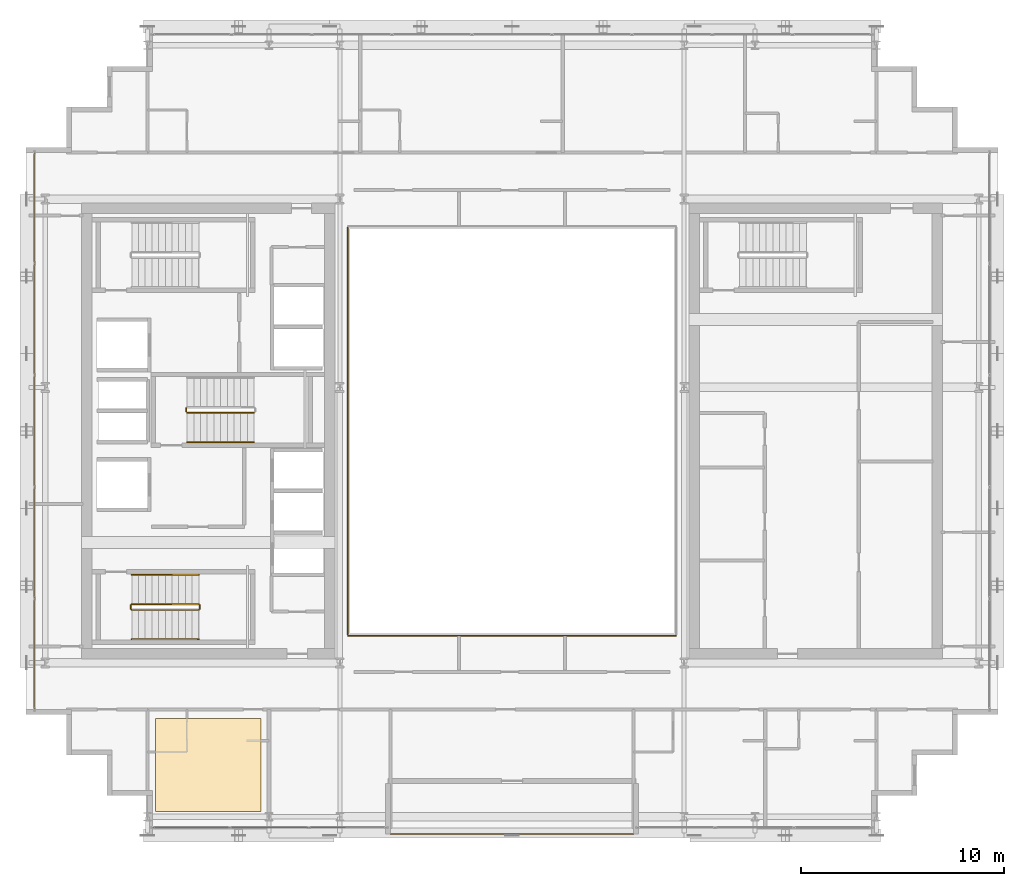
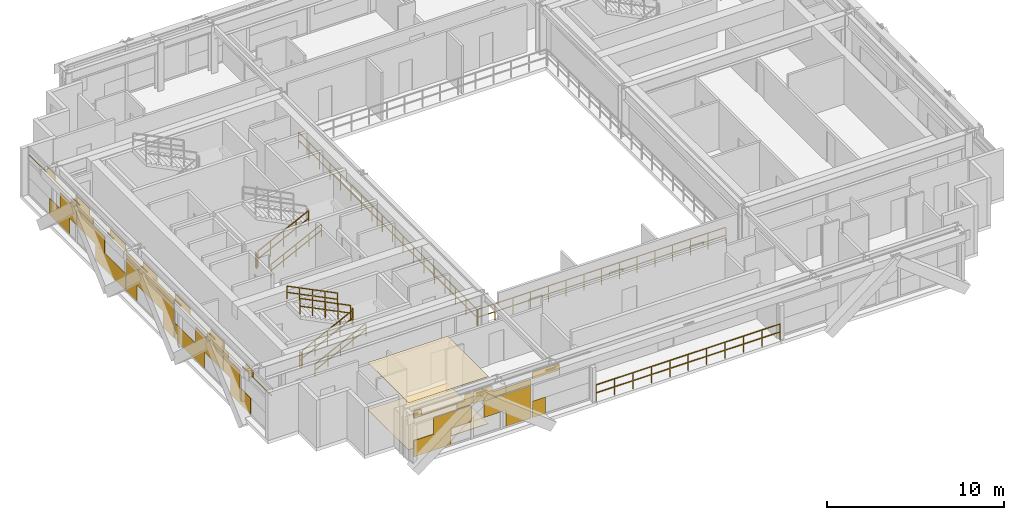
# One storey, part 29 of 32: 12 railings, 4 coverings.
"""IFC4 building model written with IfcOpenShell, lengths in metres."""

from ifc_helpers import new_model, si_unit, direction, frame, origin, origin_2d, place, context, subcontext, project, spatial, polyline, rectangle, outline, extrude, material, layer, layer_set, type_object, element, save


model = new_model("IFC4")

# Units and contexts
model_context = context("Model", 3, precision=1e-05, world=origin(), true_north=direction((0.0, 1.0)))
body_context = subcontext(model_context, "Body", "Model", "MODEL_VIEW")
ifc_project = project(units=[si_unit("LENGTHUNIT", "METRE"), si_unit("AREAUNIT", "SQUARE_METRE"), si_unit("VOLUMEUNIT", "CUBIC_METRE"), si_unit("PLANEANGLEUNIT", "RADIAN"), si_unit("MASSUNIT", "GRAM", prefix="KILO")], contexts=[model_context])

# Site, building, storey
site_placement = place(None, origin())
site = spatial("IfcSite", under=ifc_project, at=site_placement, CompositionType="ELEMENT")
building_placement = place(site_placement, origin())
building = spatial("IfcBuilding", under=site, at=building_placement, Name="Ocotamira Hotel", CompositionType="ELEMENT")
storey_placement = place(building_placement, frame((0.0, 0.0, 217.199951171875)))
storey = spatial("IfcBuildingStorey", under=building, at=storey_placement, Name="L55", CompositionType="ELEMENT", Elevation=217.199951171875)

# Coverings
ifc_material_1 = material(Name="Perforated acoustic gypsum ceiling board", Category="gypsum")
ifc_layer_1 = layer(ifc_material_1, 0.02490234375)
ifc_layer_set_1 = layer_set([ifc_layer_1], Name="Perforated acoustic gypsum ceiling board")
covering_type_1 = type_object("IfcCoveringType", Name="COV-CEIL-25", PredefinedType="CEILING", material=ifc_layer_set_1)
covering_1_placement = place(storey_placement, frame((0.0, 0.0, 3.255126953125)))
element("IfcCovering", 1, at=covering_1_placement, inside=storey, type_object=covering_type_1, Name="L55 Acoustic Ceiling", PredefinedType="CEILING", context=body_context, shape_type="SweptSolid", body=[
    extrude(outline(polyline([(14.39990234375, 7.199951171875), (19.60009765625, 7.199951171875), (19.60009765625, 11.800048828125), (14.39990234375, 11.800048828125), (14.39990234375, 7.199951171875)])), origin(), (0.0, 0.0, 1.0), 0.02490234375),
])
ifc_material_2 = material(Name="Honed desert travertine stone flooring", Category="masonry")
ifc_layer_2 = layer(ifc_material_2, 0.030029296875)
ifc_layer_set_2 = layer_set([ifc_layer_2], Name="Honed desert travertine stone flooring")
covering_type_2 = type_object("IfcCoveringType", Name="COV-FLOR-30", PredefinedType="FLOORING", material=ifc_layer_set_2)
covering_2_placement = place(storey_placement, origin())
element("IfcCovering", 2, at=covering_2_placement, inside=storey, type_object=covering_type_2, Name="L55 Honed Stone Floor Finish", PredefinedType="FLOORING", context=body_context, shape_type="SweptSolid", body=[
    extrude(outline(polyline([(14.39990234375, 7.199951171875), (19.60009765625, 7.199951171875), (19.60009765625, 11.800048828125), (14.39990234375, 11.800048828125), (14.39990234375, 7.199951171875)])), origin(), (0.0, 0.0, 1.0), 0.030029296875),
])
ifc_material_3 = material(Name="Insulated pale-metal aluminium spandrel panel", Category="aluminium")
ifc_layer_3 = layer(ifc_material_3, 0.044921875)
ifc_layer_set_3 = layer_set([ifc_layer_3], Name="Insulated pale-metal aluminium spandrel panel")
covering_type_3 = type_object("IfcCoveringType", Name="COV-INFILL-45", PredefinedType="CLADDING", material=ifc_layer_set_3)
covering_3_placement = place(storey_placement, origin())
element("IfcCovering", 3, at=covering_3_placement, inside=storey, type_object=covering_type_3, Name="L55 Curtain Wall Infill CW-4 CW-L55-S1", PredefinedType="CLADDING", context=body_context, shape_type="SweptSolid", body=[
    extrude(rectangle(XDim=2.433837890625, YDim=0.044921875, at=origin_2d()), frame((15.49755859375, 6.419921875, 0.07568359375), z_axis=(0.0, 0.0, 1.0), x_axis=(1.0, 0.0, 0.0)), (0.0, 0.0, 1.0), 1.117919921875),
    extrude(rectangle(XDim=2.465576171875, YDim=0.044921875, at=origin_2d()), frame((16.81005859375, 6.419921875, 1.1943359375), z_axis=(0.0, 0.0, 1.0), x_axis=(1.0, 0.0, 0.0)), (0.0, 0.0, 1.0), 1.11767578125),
    extrude(rectangle(XDim=3.76220703125, YDim=0.044921875, at=origin_2d()), frame((16.16162109375, 6.419921875, 2.7421875), z_axis=(0.0, 0.0, 1.0), x_axis=(1.0, 0.0, 0.0)), (0.0, 0.0, 1.0), 0.02685546875),
    extrude(rectangle(XDim=0.494873046875, YDim=0.044921875, at=origin_2d()), frame((14.528076171875, 6.419921875, 2.77001953125), z_axis=(0.0, 0.0, 1.0), x_axis=(1.0, 0.0, 0.0)), (0.0, 0.0, 1.0), 0.4345703125),
    extrude(rectangle(XDim=0.93505859375, YDim=0.044921875, at=origin_2d()), frame((17.5751953125, 6.419921875, 2.38818359375), z_axis=(0.0, 0.0, 1.0), x_axis=(1.0, 0.0, 0.0)), (0.0, 0.0, 1.0), 0.35302734375),
    extrude(rectangle(XDim=0.445556640625, YDim=0.044921875, at=origin_2d()), frame((17.820068359375, 6.419921875, 2.77001953125), z_axis=(0.0, 0.0, 1.0), x_axis=(1.0, 0.0, 0.0)), (0.0, 0.0, 1.0), 0.4345703125),
    extrude(rectangle(XDim=3.074951171875, YDim=0.044921875, at=origin_2d()), frame((20.388671875, 6.419921875, 1.1943359375), z_axis=(0.0, 0.0, 1.0), x_axis=(1.0, 0.0, 0.0)), (0.0, 0.0, 1.0), 1.11767578125),
    extrude(rectangle(XDim=1.640625, YDim=0.044921875, at=origin_2d()), frame((21.10595703125, 6.419921875, 0.07568359375), z_axis=(0.0, 0.0, 1.0), x_axis=(1.0, 0.0, 0.0)), (0.0, 0.0, 1.0), 1.117919921875),
    extrude(rectangle(XDim=3.80224609375, YDim=0.044921875, at=origin_2d()), frame((20.02490234375, 6.419921875, 2.38818359375), z_axis=(0.0, 0.0, 1.0), x_axis=(1.0, 0.0, 0.0)), (0.0, 0.0, 1.0), 0.380859375),
    extrude(rectangle(XDim=1.27880859375, YDim=0.044921875, at=origin_2d()), frame((18.76318359375, 6.419921875, 2.77001953125), z_axis=(0.0, 0.0, 1.0), x_axis=(1.0, 0.0, 0.0)), (0.0, 0.0, 1.0), 0.4345703125),
    extrude(rectangle(XDim=0.849853515625, YDim=0.044921875, at=origin_2d()), frame((22.43212890625, 6.419921875, 0.07568359375), z_axis=(0.0, 0.0, 1.0), x_axis=(1.0, 0.0, 0.0)), (0.0, 0.0, 1.0), 1.117919921875),
    extrude(rectangle(XDim=1.768310546875, YDim=0.044921875, at=origin_2d()), frame((22.891357421875, 6.419921875, 2.7421875), z_axis=(0.0, 0.0, 1.0), x_axis=(1.0, 0.0, 0.0)), (0.0, 0.0, 1.0), 0.46240234375),
])
covering_4_placement = place(storey_placement, origin())
element("IfcCovering", 4, at=covering_4_placement, inside=storey, type_object=covering_type_3, Name="L55 Curtain Wall Infill CW-4 CW-L55-W", PredefinedType="CLADDING", context=body_context, shape_type="SweptSolid", body=[
    extrude(rectangle(XDim=2.24951171875, YDim=0.044921875, at=origin_2d()), frame((8.419921875, 15.76171875, 0.07568359375), z_axis=(0.0, 0.0, 1.0), x_axis=(0.0, 1.0, 0.0)), (0.0, 0.0, 1.0), 1.117919921875),
    extrude(rectangle(XDim=1.826171875, YDim=0.044921875, at=origin_2d()), frame((8.419921875, 16.7666015625, 1.1943359375), z_axis=(0.0, 0.0, 1.0), x_axis=(0.0, 1.0, 0.0)), (0.0, 0.0, 1.0), 1.11767578125),
    extrude(rectangle(XDim=5.39892578125, YDim=0.044921875, at=origin_2d()), frame((8.419921875, 14.97998046875, 2.75927734375), z_axis=(0.0, 0.0, 1.0), x_axis=(0.0, 1.0, 0.0)), (0.0, 0.0, 1.0), 0.029541015625),
    extrude(rectangle(XDim=0.892578125, YDim=0.044921875, at=origin_2d()), frame((8.419921875, 14.79638671875, 2.7900390625), z_axis=(0.0, 0.0, 1.0), x_axis=(0.0, 1.0, 0.0)), (0.0, 0.0, 1.0), 0.414794921875),
    extrude(rectangle(XDim=0.528076171875, YDim=0.044921875, at=origin_2d()), frame((8.419921875, 17.41552734375, 2.38818359375), z_axis=(0.0, 0.0, 1.0), x_axis=(0.0, 1.0, 0.0)), (0.0, 0.0, 1.0), 0.370361328125),
    extrude(rectangle(XDim=0.09130859375, YDim=0.044921875, at=origin_2d()), frame((8.419921875, 17.6337890625, 2.7900390625), z_axis=(0.0, 0.0, 1.0), x_axis=(0.0, 1.0, 0.0)), (0.0, 0.0, 1.0), 0.414794921875),
    extrude(rectangle(XDim=3.119384765625, YDim=0.044921875, at=origin_2d()), frame((8.419921875, 19.3203125, 1.1943359375), z_axis=(0.0, 0.0, 1.0), x_axis=(0.0, 1.0, 0.0)), (0.0, 0.0, 1.0), 1.11767578125),
    extrude(rectangle(XDim=3.352783203125, YDim=0.044921875, at=origin_2d()), frame((8.419921875, 21.523193359375, 0.07568359375), z_axis=(0.0, 0.0, 1.0), x_axis=(0.0, 1.0, 0.0)), (0.0, 0.0, 1.0), 1.117919921875),
    extrude(rectangle(XDim=1.8212890625, YDim=0.044921875, at=origin_2d()), frame((8.419921875, 18.671142578125, 2.38818359375), z_axis=(0.0, 0.0, 1.0), x_axis=(0.0, 1.0, 0.0)), (0.0, 0.0, 1.0), 0.370361328125),
    extrude(rectangle(XDim=5.43896484375, YDim=0.044921875, at=origin_2d()), frame((8.419921875, 20.47998046875, 2.75927734375), z_axis=(0.0, 0.0, 1.0), x_axis=(0.0, 1.0, 0.0)), (0.0, 0.0, 1.0), 0.029541015625),
    extrude(rectangle(XDim=1.384521484375, YDim=0.044921875, at=origin_2d()), frame((8.419921875, 18.45263671875, 2.7900390625), z_axis=(0.0, 0.0, 1.0), x_axis=(0.0, 1.0, 0.0)), (0.0, 0.0, 1.0), 0.414794921875),
    extrude(rectangle(XDim=1.708740234375, YDim=0.044921875, at=origin_2d()), frame((8.419921875, 22.34521484375, 2.7900390625), z_axis=(0.0, 0.0, 1.0), x_axis=(0.0, 1.0, 0.0)), (0.0, 0.0, 1.0), 0.414794921875),
    extrude(rectangle(XDim=1.239501953125, YDim=0.044921875, at=origin_2d()), frame((8.419921875, 23.900146484375, 0.07568359375), z_axis=(0.0, 0.0, 1.0), x_axis=(0.0, 1.0, 0.0)), (0.0, 0.0, 1.0), 1.117919921875),
    extrude(rectangle(XDim=5.43896484375, YDim=0.044921875, at=origin_2d()), frame((8.419921875, 26.0, 1.1943359375), z_axis=(0.0, 0.0, 1.0), x_axis=(0.0, 1.0, 0.0)), (0.0, 0.0, 1.0), 1.11767578125),
    extrude(rectangle(XDim=1.239501953125, YDim=0.044921875, at=origin_2d()), frame((8.419921875, 28.099853515625, 0.07568359375), z_axis=(0.0, 0.0, 1.0), x_axis=(0.0, 1.0, 0.0)), (0.0, 0.0, 1.0), 1.117919921875),
    extrude(rectangle(XDim=5.43896484375, YDim=0.044921875, at=origin_2d()), frame((8.419921875, 26.0, 2.387939453125), z_axis=(0.0, 0.0, 1.0), x_axis=(0.0, 1.0, 0.0)), (0.0, 0.0, 1.0), 0.40087890625),
    extrude(rectangle(XDim=1.556640625, YDim=0.044921875, at=origin_2d()), frame((8.419921875, 26.0, 2.7900390625), z_axis=(0.0, 0.0, 1.0), x_axis=(0.0, 1.0, 0.0)), (0.0, 0.0, 1.0), 0.414794921875),
    extrude(rectangle(XDim=3.352783203125, YDim=0.044921875, at=origin_2d()), frame((8.419921875, 30.476806640625, 0.07568359375), z_axis=(0.0, 0.0, 1.0), x_axis=(0.0, 1.0, 0.0)), (0.0, 0.0, 1.0), 1.117919921875),
    extrude(rectangle(XDim=3.119384765625, YDim=0.044921875, at=origin_2d()), frame((8.419921875, 32.6796875, 1.1943359375), z_axis=(0.0, 0.0, 1.0), x_axis=(0.0, 1.0, 0.0)), (0.0, 0.0, 1.0), 1.11767578125),
    extrude(rectangle(XDim=5.43896484375, YDim=0.044921875, at=origin_2d()), frame((8.419921875, 31.52001953125, 2.75927734375), z_axis=(0.0, 0.0, 1.0), x_axis=(0.0, 1.0, 0.0)), (0.0, 0.0, 1.0), 0.029541015625),
    extrude(rectangle(XDim=1.708740234375, YDim=0.044921875, at=origin_2d()), frame((8.419921875, 29.65478515625, 2.7900390625), z_axis=(0.0, 0.0, 1.0), x_axis=(0.0, 1.0, 0.0)), (0.0, 0.0, 1.0), 0.414794921875),
    extrude(rectangle(XDim=1.8212890625, YDim=0.044921875, at=origin_2d()), frame((8.419921875, 33.328857421875, 2.38818359375), z_axis=(0.0, 0.0, 1.0), x_axis=(0.0, 1.0, 0.0)), (0.0, 0.0, 1.0), 0.370361328125),
    extrude(rectangle(XDim=1.384521484375, YDim=0.044921875, at=origin_2d()), frame((8.419921875, 33.54736328125, 2.7900390625), z_axis=(0.0, 0.0, 1.0), x_axis=(0.0, 1.0, 0.0)), (0.0, 0.0, 1.0), 0.414794921875),
    extrude(rectangle(XDim=1.826171875, YDim=0.044921875, at=origin_2d()), frame((8.419921875, 35.2333984375, 1.1943359375), z_axis=(0.0, 0.0, 1.0), x_axis=(0.0, 1.0, 0.0)), (0.0, 0.0, 1.0), 1.11767578125),
    extrude(rectangle(XDim=2.24951171875, YDim=0.044921875, at=origin_2d()), frame((8.419921875, 36.23828125, 0.07568359375), z_axis=(0.0, 0.0, 1.0), x_axis=(0.0, 1.0, 0.0)), (0.0, 0.0, 1.0), 1.117919921875),
    extrude(rectangle(XDim=0.528076171875, YDim=0.044921875, at=origin_2d()), frame((8.419921875, 34.58447265625, 2.38818359375), z_axis=(0.0, 0.0, 1.0), x_axis=(0.0, 1.0, 0.0)), (0.0, 0.0, 1.0), 0.370361328125),
    extrude(rectangle(XDim=5.39892578125, YDim=0.044921875, at=origin_2d()), frame((8.419921875, 37.02001953125, 2.75927734375), z_axis=(0.0, 0.0, 1.0), x_axis=(0.0, 1.0, 0.0)), (0.0, 0.0, 1.0), 0.029541015625),
    extrude(rectangle(XDim=0.09130859375, YDim=0.044921875, at=origin_2d()), frame((8.419921875, 34.3662109375, 2.7900390625), z_axis=(0.0, 0.0, 1.0), x_axis=(0.0, 1.0, 0.0)), (0.0, 0.0, 1.0), 0.414794921875),
    extrude(rectangle(XDim=0.892578125, YDim=0.044921875, at=origin_2d()), frame((8.419921875, 37.20361328125, 2.7900390625), z_axis=(0.0, 0.0, 1.0), x_axis=(0.0, 1.0, 0.0)), (0.0, 0.0, 1.0), 0.414794921875),
])

# Railings
ifc_material_4 = material(Name="Laminated glass and pale-metal balustrade", Category="glass")
railing_type_1 = type_object("IfcRailingType", Name="RL-BAL-1150", PredefinedType="BALUSTRADE", material=ifc_material_4)
railing_1_placement = place(storey_placement, frame((26.0, 6.10009765625, 0.0)))
element("IfcRailing", 5, at=railing_1_placement, inside=storey, type_object=railing_type_1, Name="L55 Sky Terrace Balustrade 1", PredefinedType="BALUSTRADE", context=body_context, shape_type="SweptSolid", body=[
    extrude(rectangle(XDim=0.048095703125, YDim=0.048095703125, at=origin_2d()), frame((0.0, 0.0, 1.1259765625), z_axis=(1.0, 0.0, 0.0), x_axis=(0.0, 1.0, 0.0)), (0.0, 0.0, 1.0), 12.0),
    extrude(rectangle(XDim=0.048095703125, YDim=0.048095703125, at=origin_2d()), frame((0.0, 0.0, 0.574951171875), z_axis=(1.0, 0.0, 0.0), x_axis=(0.0, 1.0, 0.0)), (0.0, 0.0, 1.0), 12.0),
    extrude(rectangle(XDim=0.0419921875, YDim=0.0419921875, at=origin_2d()), origin(), (0.0, 0.0, 1.0), 1.101806640625),
    extrude(rectangle(XDim=0.0419921875, YDim=0.0419921875, at=origin_2d()), frame((1.199951171875, 0.0, 0.0)), (0.0, 0.0, 1.0), 1.101806640625),
    extrude(rectangle(XDim=0.0419921875, YDim=0.0419921875, at=origin_2d()), frame((2.39990234375, 0.0, 0.0)), (0.0, 0.0, 1.0), 1.101806640625),
    extrude(rectangle(XDim=0.0419921875, YDim=0.0419921875, at=origin_2d()), frame((3.60009765625, 0.0, 0.0)), (0.0, 0.0, 1.0), 1.101806640625),
    extrude(rectangle(XDim=0.0419921875, YDim=0.0419921875, at=origin_2d()), frame((4.800048828125, 0.0, 0.0)), (0.0, 0.0, 1.0), 1.101806640625),
    extrude(rectangle(XDim=0.0419921875, YDim=0.0419921875, at=origin_2d()), frame((6.0, 0.0, 0.0)), (0.0, 0.0, 1.0), 1.101806640625),
    extrude(rectangle(XDim=0.0419921875, YDim=0.0419921875, at=origin_2d()), frame((7.199951171875, 0.0, 0.0)), (0.0, 0.0, 1.0), 1.101806640625),
    extrude(rectangle(XDim=0.0419921875, YDim=0.0419921875, at=origin_2d()), frame((8.39990234375, 0.0, 0.0)), (0.0, 0.0, 1.0), 1.101806640625),
    extrude(rectangle(XDim=0.0419921875, YDim=0.0419921875, at=origin_2d()), frame((9.60009765625, 0.0, 0.0)), (0.0, 0.0, 1.0), 1.101806640625),
    extrude(rectangle(XDim=0.0419921875, YDim=0.0419921875, at=origin_2d()), frame((10.800048828125, 0.0, 0.0)), (0.0, 0.0, 1.0), 1.101806640625),
    extrude(rectangle(XDim=0.0419921875, YDim=0.0419921875, at=origin_2d()), frame((12.0, 0.0, 0.0)), (0.0, 0.0, 1.0), 1.101806640625),
])
ifc_material_5 = material(Name="Painted steel stair guardrail", Category="steel")
railing_type_2 = type_object("IfcRailingType", Name="RL-EDGE-1150", PredefinedType="GUARDRAIL", material=ifc_material_5)
railing_2_placement = place(storey_placement, frame((23.89990234375, 15.8798828125, 0.0)))
element("IfcRailing", 6, at=railing_2_placement, inside=storey, type_object=railing_type_2, Name="L55 Central Atrium Edge Guardrail S", PredefinedType="GUARDRAIL", context=body_context, shape_type="SweptSolid", body=[
    extrude(rectangle(XDim=0.048095703125, YDim=0.048095703125, at=origin_2d()), frame((0.0, 0.0, 1.1259765625), z_axis=(1.0, 0.0, 0.0), x_axis=(0.0, 1.0, 0.0)), (0.0, 0.0, 1.0), 16.2001953125),
    extrude(rectangle(XDim=0.048095703125, YDim=0.048095703125, at=origin_2d()), frame((0.0, 0.0, 0.574951171875), z_axis=(1.0, 0.0, 0.0), x_axis=(0.0, 1.0, 0.0)), (0.0, 0.0, 1.0), 16.2001953125),
    extrude(rectangle(XDim=0.0419921875, YDim=0.0419921875, at=origin_2d()), origin(), (0.0, 0.0, 1.0), 1.101806640625),
    extrude(rectangle(XDim=0.0419921875, YDim=0.0419921875, at=origin_2d()), frame((1.1572265625, 0.0, 0.0)), (0.0, 0.0, 1.0), 1.101806640625),
    extrude(rectangle(XDim=0.0419921875, YDim=0.0419921875, at=origin_2d()), frame((2.314208984375, 0.0, 0.0)), (0.0, 0.0, 1.0), 1.101806640625),
    extrude(rectangle(XDim=0.0419921875, YDim=0.0419921875, at=origin_2d()), frame((3.471435546875, 0.0, 0.0)), (0.0, 0.0, 1.0), 1.101806640625),
    extrude(rectangle(XDim=0.0419921875, YDim=0.0419921875, at=origin_2d()), frame((4.628662109375, 0.0, 0.0)), (0.0, 0.0, 1.0), 1.101806640625),
    extrude(rectangle(XDim=0.0419921875, YDim=0.0419921875, at=origin_2d()), frame((5.785888671875, 0.0, 0.0)), (0.0, 0.0, 1.0), 1.101806640625),
    extrude(rectangle(XDim=0.0419921875, YDim=0.0419921875, at=origin_2d()), frame((6.94287109375, 0.0, 0.0)), (0.0, 0.0, 1.0), 1.101806640625),
    extrude(rectangle(XDim=0.0419921875, YDim=0.0419921875, at=origin_2d()), frame((8.10009765625, 0.0, 0.0)), (0.0, 0.0, 1.0), 1.101806640625),
    extrude(rectangle(XDim=0.0419921875, YDim=0.0419921875, at=origin_2d()), frame((9.25732421875, 0.0, 0.0)), (0.0, 0.0, 1.0), 1.101806640625),
    extrude(rectangle(XDim=0.0419921875, YDim=0.0419921875, at=origin_2d()), frame((10.414306640625, 0.0, 0.0)), (0.0, 0.0, 1.0), 1.101806640625),
    extrude(rectangle(XDim=0.0419921875, YDim=0.0419921875, at=origin_2d()), frame((11.571533203125, 0.0, 0.0)), (0.0, 0.0, 1.0), 1.101806640625),
    extrude(rectangle(XDim=0.0419921875, YDim=0.0419921875, at=origin_2d()), frame((12.728759765625, 0.0, 0.0)), (0.0, 0.0, 1.0), 1.101806640625),
    extrude(rectangle(XDim=0.0419921875, YDim=0.0419921875, at=origin_2d()), frame((13.885986328125, 0.0, 0.0)), (0.0, 0.0, 1.0), 1.101806640625),
    extrude(rectangle(XDim=0.0419921875, YDim=0.0419921875, at=origin_2d()), frame((15.04296875, 0.0, 0.0)), (0.0, 0.0, 1.0), 1.101806640625),
    extrude(rectangle(XDim=0.0419921875, YDim=0.0419921875, at=origin_2d()), frame((16.2001953125, 0.0, 0.0)), (0.0, 0.0, 1.0), 1.101806640625),
])
railing_3_placement = place(storey_placement, frame((23.8798828125, 36.0400390625, 0.0)))
element("IfcRailing", 7, at=railing_3_placement, inside=storey, type_object=railing_type_2, Name="L55 Central Atrium Edge Guardrail W", PredefinedType="GUARDRAIL", context=body_context, shape_type="SweptSolid", body=[
    extrude(rectangle(XDim=0.048095703125, YDim=0.048095703125, at=origin_2d()), frame((0.0, 0.0, 1.1259765625), z_axis=(0.0, -1.0, 0.0), x_axis=(1.0, 0.0, 0.0)), (0.0, 0.0, 1.0), 20.080078125),
    extrude(rectangle(XDim=0.048095703125, YDim=0.048095703125, at=origin_2d()), frame((0.0, 0.0, 0.574951171875), z_axis=(0.0, -1.0, 0.0), x_axis=(1.0, 0.0, 0.0)), (0.0, 0.0, 1.0), 20.080078125),
    extrude(rectangle(XDim=0.0419921875, YDim=0.0419921875, at=origin_2d()), origin(), (0.0, 0.0, 1.0), 1.101806640625),
    extrude(rectangle(XDim=0.0419921875, YDim=0.0419921875, at=origin_2d()), frame((0.0, -1.18115234375, 0.0)), (0.0, 0.0, 1.0), 1.101806640625),
    extrude(rectangle(XDim=0.0419921875, YDim=0.0419921875, at=origin_2d()), frame((0.0, -2.3623046875, 0.0)), (0.0, 0.0, 1.0), 1.101806640625),
    extrude(rectangle(XDim=0.0419921875, YDim=0.0419921875, at=origin_2d()), frame((0.0, -3.54345703125, 0.0)), (0.0, 0.0, 1.0), 1.101806640625),
    extrude(rectangle(XDim=0.0419921875, YDim=0.0419921875, at=origin_2d()), frame((0.0, -4.724609375, 0.0)), (0.0, 0.0, 1.0), 1.101806640625),
    extrude(rectangle(XDim=0.0419921875, YDim=0.0419921875, at=origin_2d()), frame((0.0, -5.906005859375, 0.0)), (0.0, 0.0, 1.0), 1.101806640625),
    extrude(rectangle(XDim=0.0419921875, YDim=0.0419921875, at=origin_2d()), frame((0.0, -7.087158203125, 0.0)), (0.0, 0.0, 1.0), 1.101806640625),
    extrude(rectangle(XDim=0.0419921875, YDim=0.0419921875, at=origin_2d()), frame((0.0, -8.268310546875, 0.0)), (0.0, 0.0, 1.0), 1.101806640625),
    extrude(rectangle(XDim=0.0419921875, YDim=0.0419921875, at=origin_2d()), frame((0.0, -9.449462890625, 0.0)), (0.0, 0.0, 1.0), 1.101806640625),
    extrude(rectangle(XDim=0.0419921875, YDim=0.0419921875, at=origin_2d()), frame((0.0, -10.630615234375, 0.0)), (0.0, 0.0, 1.0), 1.101806640625),
    extrude(rectangle(XDim=0.0419921875, YDim=0.0419921875, at=origin_2d()), frame((0.0, -11.811767578125, 0.0)), (0.0, 0.0, 1.0), 1.101806640625),
    extrude(rectangle(XDim=0.0419921875, YDim=0.0419921875, at=origin_2d()), frame((0.0, -12.992919921875, 0.0)), (0.0, 0.0, 1.0), 1.101806640625),
    extrude(rectangle(XDim=0.0419921875, YDim=0.0419921875, at=origin_2d()), frame((0.0, -14.174072265625, 0.0)), (0.0, 0.0, 1.0), 1.101806640625),
    extrude(rectangle(XDim=0.0419921875, YDim=0.0419921875, at=origin_2d()), frame((0.0, -15.35546875, 0.0)), (0.0, 0.0, 1.0), 1.101806640625),
    extrude(rectangle(XDim=0.0419921875, YDim=0.0419921875, at=origin_2d()), frame((0.0, -16.53662109375, 0.0)), (0.0, 0.0, 1.0), 1.101806640625),
    extrude(rectangle(XDim=0.0419921875, YDim=0.0419921875, at=origin_2d()), frame((0.0, -17.7177734375, 0.0)), (0.0, 0.0, 1.0), 1.101806640625),
    extrude(rectangle(XDim=0.0419921875, YDim=0.0419921875, at=origin_2d()), frame((0.0, -18.89892578125, 0.0)), (0.0, 0.0, 1.0), 1.101806640625),
    extrude(rectangle(XDim=0.0419921875, YDim=0.0419921875, at=origin_2d()), frame((0.0, -20.080078125, 0.0)), (0.0, 0.0, 1.0), 1.101806640625),
])
ifc_material_6 = material(Name="Brushed stainless steel handrail", Category="steel")
railing_type_3 = type_object("IfcRailingType", Name="RL-HAND-900", PredefinedType="HANDRAIL", material=ifc_material_6)
railing_4_placement = place(storey_placement, frame((13.22998046875, 15.719970703125, 0.327392578125)))
element("IfcRailing", 8, at=railing_4_placement, inside=storey, type_object=railing_type_3, Name="L55 ST-1 stair handrail 1", PredefinedType="HANDRAIL", context=body_context, shape_type="SweptSolid", body=[
    extrude(rectangle(XDim=0.048095703125, YDim=0.048095703125, at=origin_2d()), frame((0.0, 0.0, 0.8759765625), z_axis=(0.895920123917, 0.0, 0.444215186098), x_axis=(0.0, 1.0, 0.0)), (0.0, 0.0, 1.0), 3.683349609375),
    extrude(rectangle(XDim=0.048095703125, YDim=0.048095703125, at=origin_2d()), frame((0.0, 0.0, 0.449951171875), z_axis=(0.895920123917, 0.0, 0.444215186098), x_axis=(0.0, 1.0, 0.0)), (0.0, 0.0, 1.0), 3.683349609375),
    extrude(rectangle(XDim=0.0419921875, YDim=0.0419921875, at=origin_2d()), origin(), (0.0, 0.0, 1.0), 0.851806640625),
    extrude(rectangle(XDim=0.0419921875, YDim=0.0419921875, at=origin_2d()), frame((0.824951171875, 0.0, 0.4091796875)), (0.0, 0.0, 1.0), 0.851806640625),
    extrude(rectangle(XDim=0.0419921875, YDim=0.0419921875, at=origin_2d()), frame((1.64990234375, 0.0, 0.818115234375)), (0.0, 0.0, 1.0), 0.851806640625),
    extrude(rectangle(XDim=0.0419921875, YDim=0.0419921875, at=origin_2d()), frame((2.47509765625, 0.0, 1.22705078125)), (0.0, 0.0, 1.0), 0.851806640625),
    extrude(rectangle(XDim=0.0419921875, YDim=0.0419921875, at=origin_2d()), frame((3.300048828125, 0.0, 1.63623046875)), (0.0, 0.0, 1.0), 0.851806640625),
])
railing_5_placement = place(storey_placement, frame((16.530029296875, 18.89990234375, 2.12744140625)))
element("IfcRailing", 9, at=railing_5_placement, inside=storey, type_object=railing_type_3, Name="L55 ST-1 stair handrail 2", PredefinedType="HANDRAIL", context=body_context, shape_type="SweptSolid", body=[
    extrude(rectangle(XDim=0.048095703125, YDim=0.048095703125, at=origin_2d()), frame((0.0, 0.0, 0.8759765625), z_axis=(-0.895920123917, 0.0, 0.444215186098), x_axis=(0.0, -1.0, 0.0)), (0.0, 0.0, 1.0), 3.683349609375),
    extrude(rectangle(XDim=0.048095703125, YDim=0.048095703125, at=origin_2d()), frame((0.0, 0.0, 0.449951171875), z_axis=(-0.895920123917, 0.0, 0.444215186098), x_axis=(0.0, -1.0, 0.0)), (0.0, 0.0, 1.0), 3.683349609375),
    extrude(rectangle(XDim=0.0419921875, YDim=0.0419921875, at=origin_2d()), origin(), (0.0, 0.0, 1.0), 0.851806640625),
    extrude(rectangle(XDim=0.0419921875, YDim=0.0419921875, at=origin_2d()), frame((-0.824951171875, 0.0, 0.4091796875)), (0.0, 0.0, 1.0), 0.851806640625),
    extrude(rectangle(XDim=0.0419921875, YDim=0.0419921875, at=origin_2d()), frame((-1.64990234375, 0.0, 0.818115234375)), (0.0, 0.0, 1.0), 0.851806640625),
    extrude(rectangle(XDim=0.0419921875, YDim=0.0419921875, at=origin_2d()), frame((-2.47509765625, 0.0, 1.22705078125)), (0.0, 0.0, 1.0), 0.851806640625),
    extrude(rectangle(XDim=0.0419921875, YDim=0.0419921875, at=origin_2d()), frame((-3.300048828125, 0.0, 1.63623046875)), (0.0, 0.0, 1.0), 0.851806640625),
])
railing_6_placement = place(storey_placement, frame((15.9599609375, 25.449951171875, 0.327392578125)))
element("IfcRailing", 10, at=railing_6_placement, inside=storey, type_object=railing_type_3, Name="L55 ST-3 stair handrail 1", PredefinedType="HANDRAIL", context=body_context, shape_type="SweptSolid", body=[
    extrude(rectangle(XDim=0.048095703125, YDim=0.048095703125, at=origin_2d()), frame((0.0, 0.0, 0.8759765625), z_axis=(0.895920123917, 0.0, 0.444215186098), x_axis=(0.0, 1.0, 0.0)), (0.0, 0.0, 1.0), 3.683349609375),
    extrude(rectangle(XDim=0.048095703125, YDim=0.048095703125, at=origin_2d()), frame((0.0, 0.0, 0.449951171875), z_axis=(0.895920123917, 0.0, 0.444215186098), x_axis=(0.0, 1.0, 0.0)), (0.0, 0.0, 1.0), 3.683349609375),
    extrude(rectangle(XDim=0.0419921875, YDim=0.0419921875, at=origin_2d()), origin(), (0.0, 0.0, 1.0), 0.851806640625),
    extrude(rectangle(XDim=0.0419921875, YDim=0.0419921875, at=origin_2d()), frame((0.824951171875, 0.0, 0.4091796875)), (0.0, 0.0, 1.0), 0.851806640625),
    extrude(rectangle(XDim=0.0419921875, YDim=0.0419921875, at=origin_2d()), frame((1.64990234375, 0.0, 0.818115234375)), (0.0, 0.0, 1.0), 0.851806640625),
    extrude(rectangle(XDim=0.0419921875, YDim=0.0419921875, at=origin_2d()), frame((2.47509765625, 0.0, 1.22705078125)), (0.0, 0.0, 1.0), 0.851806640625),
    extrude(rectangle(XDim=0.0419921875, YDim=0.0419921875, at=origin_2d()), frame((3.300048828125, 0.0, 1.63623046875)), (0.0, 0.0, 1.0), 0.851806640625),
])
railing_type_4 = type_object("IfcRailingType", Name="RL-STAIR-1100", PredefinedType="GUARDRAIL", material=ifc_material_5)
railing_7_placement = place(storey_placement, frame((13.22998046875, 17.179931640625, 0.16357421875)))
element("IfcRailing", 11, at=railing_7_placement, inside=storey, type_object=railing_type_4, Name="L55 ST-1 stair guard 1", PredefinedType="GUARDRAIL", context=body_context, shape_type="SweptSolid", body=[
    extrude(rectangle(XDim=0.048095703125, YDim=0.048095703125, at=origin_2d()), frame((0.0, 0.0, 1.076171875), z_axis=(0.895893744519, 0.0, 0.4442683857), x_axis=(0.0, 1.0, 0.0)), (0.0, 0.0, 1.0), 3.68359375),
    extrude(rectangle(XDim=0.048095703125, YDim=0.048095703125, at=origin_2d()), frame((0.0, 0.0, 0.550048828125), z_axis=(0.895893744519, 0.0, 0.4442683857), x_axis=(0.0, 1.0, 0.0)), (0.0, 0.0, 1.0), 3.68359375),
    extrude(rectangle(XDim=0.0419921875, YDim=0.0419921875, at=origin_2d()), origin(), (0.0, 0.0, 1.0), 1.052001953125),
    extrude(rectangle(XDim=0.0419921875, YDim=0.0419921875, at=origin_2d()), frame((0.824951171875, 0.0, 0.4091796875)), (0.0, 0.0, 1.0), 1.052001953125),
    extrude(rectangle(XDim=0.0419921875, YDim=0.0419921875, at=origin_2d()), frame((1.64990234375, 0.0, 0.818359375)), (0.0, 0.0, 1.0), 1.052001953125),
    extrude(rectangle(XDim=0.0419921875, YDim=0.0419921875, at=origin_2d()), frame((2.47509765625, 0.0, 1.227294921875)), (0.0, 0.0, 1.0), 1.052001953125),
    extrude(rectangle(XDim=0.0419921875, YDim=0.0419921875, at=origin_2d()), frame((3.300048828125, 0.0, 1.636474609375)), (0.0, 0.0, 1.0), 1.052001953125),
])
railing_8_placement = place(storey_placement, frame((16.580078125, 17.22998046875, 1.800048828125)))
element("IfcRailing", 12, at=railing_8_placement, inside=storey, type_object=railing_type_4, Name="L55 ST-1 stair guard 2", PredefinedType="GUARDRAIL", context=body_context, shape_type="SweptSolid", body=[
    extrude(rectangle(XDim=0.048095703125, YDim=0.048095703125, at=origin_2d()), frame((0.0, 0.0, 1.076171875), z_axis=(0.0, 1.0, 0.0), x_axis=(-1.0, 0.0, 0.0)), (0.0, 0.0, 1.0), 0.159912109375),
    extrude(rectangle(XDim=0.048095703125, YDim=0.048095703125, at=origin_2d()), frame((0.0, 0.0, 0.550048828125), z_axis=(0.0, 1.0, 0.0), x_axis=(-1.0, 0.0, 0.0)), (0.0, 0.0, 1.0), 0.159912109375),
    extrude(rectangle(XDim=0.0419921875, YDim=0.0419921875, at=origin_2d()), origin(), (0.0, 0.0, 1.0), 1.052001953125),
    extrude(rectangle(XDim=0.0419921875, YDim=0.0419921875, at=origin_2d()), frame((0.0, 0.159912109375, 0.0)), (0.0, 0.0, 1.0), 1.052001953125),
])
railing_9_placement = place(storey_placement, frame((16.530029296875, 17.43994140625, 1.963623046875)))
element("IfcRailing", 13, at=railing_9_placement, inside=storey, type_object=railing_type_4, Name="L55 ST-1 stair guard 3", PredefinedType="GUARDRAIL", context=body_context, shape_type="SweptSolid", body=[
    extrude(rectangle(XDim=0.048095703125, YDim=0.048095703125, at=origin_2d()), frame((0.0, 0.0, 1.076171875), z_axis=(-0.895893744519, 0.0, 0.4442683857), x_axis=(0.0, -1.0, 0.0)), (0.0, 0.0, 1.0), 3.68359375),
    extrude(rectangle(XDim=0.048095703125, YDim=0.048095703125, at=origin_2d()), frame((0.0, 0.0, 0.550048828125), z_axis=(-0.895893744519, 0.0, 0.4442683857), x_axis=(0.0, -1.0, 0.0)), (0.0, 0.0, 1.0), 3.68359375),
    extrude(rectangle(XDim=0.0419921875, YDim=0.0419921875, at=origin_2d()), origin(), (0.0, 0.0, 1.0), 1.052001953125),
    extrude(rectangle(XDim=0.0419921875, YDim=0.0419921875, at=origin_2d()), frame((-0.824951171875, 0.0, 0.4091796875)), (0.0, 0.0, 1.0), 1.052001953125),
    extrude(rectangle(XDim=0.0419921875, YDim=0.0419921875, at=origin_2d()), frame((-1.64990234375, 0.0, 0.818359375)), (0.0, 0.0, 1.0), 1.052001953125),
    extrude(rectangle(XDim=0.0419921875, YDim=0.0419921875, at=origin_2d()), frame((-2.47509765625, 0.0, 1.227294921875)), (0.0, 0.0, 1.0), 1.052001953125),
    extrude(rectangle(XDim=0.0419921875, YDim=0.0419921875, at=origin_2d()), frame((-3.300048828125, 0.0, 1.636474609375)), (0.0, 0.0, 1.0), 1.052001953125),
])
railing_10_placement = place(storey_placement, frame((13.179931640625, 17.22998046875, 0.0)))
element("IfcRailing", 14, at=railing_10_placement, inside=storey, type_object=railing_type_4, Name="L55 ST-1 stair guard 4", PredefinedType="GUARDRAIL", context=body_context, shape_type="SweptSolid", body=[
    extrude(rectangle(XDim=0.048095703125, YDim=0.048095703125, at=origin_2d()), frame((0.0, 0.0, 1.076171875), z_axis=(0.0, 1.0, 0.0), x_axis=(-1.0, 0.0, 0.0)), (0.0, 0.0, 1.0), 0.159912109375),
    extrude(rectangle(XDim=0.048095703125, YDim=0.048095703125, at=origin_2d()), frame((0.0, 0.0, 0.550048828125), z_axis=(0.0, 1.0, 0.0), x_axis=(-1.0, 0.0, 0.0)), (0.0, 0.0, 1.0), 0.159912109375),
    extrude(rectangle(XDim=0.0419921875, YDim=0.0419921875, at=origin_2d()), origin(), (0.0, 0.0, 1.0), 1.052001953125),
    extrude(rectangle(XDim=0.0419921875, YDim=0.0419921875, at=origin_2d()), frame((0.0, 0.159912109375, 0.0)), (0.0, 0.0, 1.0), 1.052001953125),
])
railing_11_placement = place(storey_placement, frame((15.9599609375, 26.909912109375, 0.16357421875)))
element("IfcRailing", 15, at=railing_11_placement, inside=storey, type_object=railing_type_4, Name="L55 ST-3 stair guard 1", PredefinedType="GUARDRAIL", context=body_context, shape_type="SweptSolid", body=[
    extrude(rectangle(XDim=0.048095703125, YDim=0.048095703125, at=origin_2d()), frame((0.0, 0.0, 1.076171875), z_axis=(0.895893744519, 0.0, 0.4442683857), x_axis=(0.0, 1.0, 0.0)), (0.0, 0.0, 1.0), 3.68359375),
    extrude(rectangle(XDim=0.048095703125, YDim=0.048095703125, at=origin_2d()), frame((0.0, 0.0, 0.550048828125), z_axis=(0.895893744519, 0.0, 0.4442683857), x_axis=(0.0, 1.0, 0.0)), (0.0, 0.0, 1.0), 3.68359375),
    extrude(rectangle(XDim=0.0419921875, YDim=0.0419921875, at=origin_2d()), origin(), (0.0, 0.0, 1.0), 1.052001953125),
    extrude(rectangle(XDim=0.0419921875, YDim=0.0419921875, at=origin_2d()), frame((0.824951171875, 0.0, 0.4091796875)), (0.0, 0.0, 1.0), 1.052001953125),
    extrude(rectangle(XDim=0.0419921875, YDim=0.0419921875, at=origin_2d()), frame((1.64990234375, 0.0, 0.818359375)), (0.0, 0.0, 1.0), 1.052001953125),
    extrude(rectangle(XDim=0.0419921875, YDim=0.0419921875, at=origin_2d()), frame((2.47509765625, 0.0, 1.227294921875)), (0.0, 0.0, 1.0), 1.052001953125),
    extrude(rectangle(XDim=0.0419921875, YDim=0.0419921875, at=origin_2d()), frame((3.300048828125, 0.0, 1.636474609375)), (0.0, 0.0, 1.0), 1.052001953125),
])
railing_12_placement = place(storey_placement, frame((15.909912109375, 26.9599609375, 0.0)))
element("IfcRailing", 16, at=railing_12_placement, inside=storey, type_object=railing_type_4, Name="L55 ST-3 stair guard 4", PredefinedType="GUARDRAIL", context=body_context, shape_type="SweptSolid", body=[
    extrude(rectangle(XDim=0.048095703125, YDim=0.048095703125, at=origin_2d()), frame((0.0, 0.0, 1.076171875), z_axis=(0.0, 1.0, 0.0), x_axis=(-1.0, 0.0, 0.0)), (0.0, 0.0, 1.0), 0.16015625),
    extrude(rectangle(XDim=0.048095703125, YDim=0.048095703125, at=origin_2d()), frame((0.0, 0.0, 0.550048828125), z_axis=(0.0, 1.0, 0.0), x_axis=(-1.0, 0.0, 0.0)), (0.0, 0.0, 1.0), 0.16015625),
    extrude(rectangle(XDim=0.0419921875, YDim=0.0419921875, at=origin_2d()), origin(), (0.0, 0.0, 1.0), 1.052001953125),
    extrude(rectangle(XDim=0.0419921875, YDim=0.0419921875, at=origin_2d()), frame((0.0, 0.16015625, 0.0)), (0.0, 0.0, 1.0), 1.052001953125),
])

save(model, "model.ifc")
